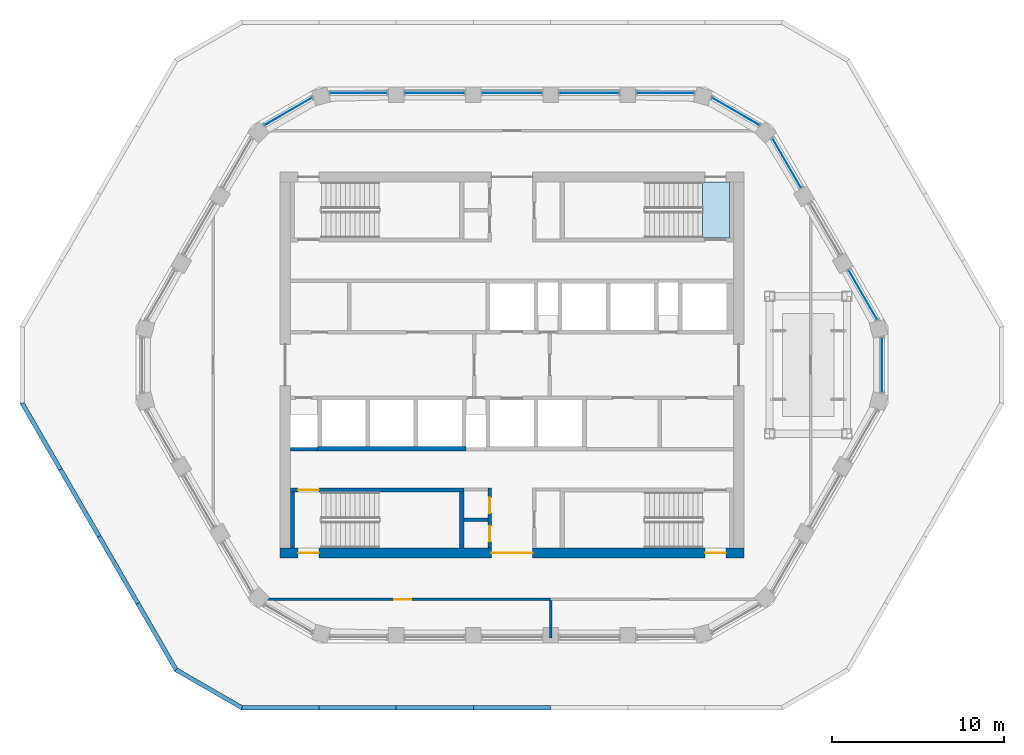
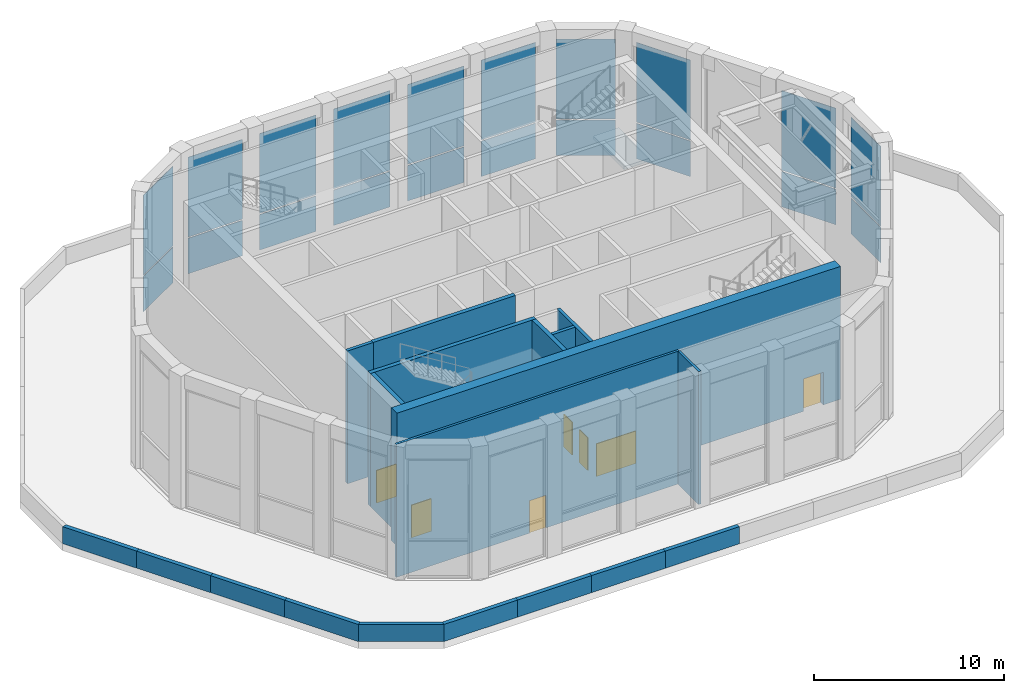
# One storey, part 5 of 11: 20 plates, 19 walls, 7 doors, 1 slab, 7 openings, 11 elements without a shape of their own.
"""IFC4 building model written with IfcOpenShell, lengths in metres."""

from ifc_helpers import new_model, si_unit, direction, frame, frame_2d, origin, origin_2d, place, context, subcontext, project, spatial, polyline, rectangle, outline, extrude, material, layer, layer_set, type_object, element, fill, aggregate, save


model = new_model("IFC4")

# Units and contexts
model_context = context("Model", 3, precision=1e-05, world=origin(), true_north=direction((0.0, 1.0)))
body_context = subcontext(model_context, "Body", "Model", "MODEL_VIEW")
ifc_project = project(units=[si_unit("LENGTHUNIT", "METRE"), si_unit("AREAUNIT", "SQUARE_METRE"), si_unit("VOLUMEUNIT", "CUBIC_METRE"), si_unit("PLANEANGLEUNIT", "RADIAN"), si_unit("MASSUNIT", "GRAM", prefix="KILO")], contexts=[model_context])

# Site, building, storey
site_placement = place(None, origin())
site = spatial("IfcSite", under=ifc_project, at=site_placement, CompositionType="ELEMENT")
building_placement = place(site_placement, origin())
building = spatial("IfcBuilding", under=site, at=building_placement, Name="Dhurran Vertical Campus", CompositionType="ELEMENT")
storey_placement = place(building_placement, frame((0.0, 0.0, 309.89990234375)))
storey = spatial("IfcBuildingStorey", under=building, at=storey_placement, Name="L77 Damper Plant", CompositionType="ELEMENT", Elevation=309.89990234375)

# Curtain wall, plates
ifc_material_1 = material(Name="Aluminium frame with solar-control glass", Category="aluminium")
ifc_layer_1 = layer(ifc_material_1, 0.300048828125)
ifc_layer_set_1 = layer_set([ifc_layer_1], Name="Aluminium frame with solar-control glass")
curtain_wall_type = type_object("IfcCurtainWallType", Name="Damper floor glazing system", PredefinedType="NOTDEFINED", material=ifc_layer_set_1)
curtain_wall_1_placement = place(storey_placement, origin())
curtain_wall_1 = element("IfcCurtainWall", 1, at=curtain_wall_1_placement, inside=storey, type_object=curtain_wall_type, Name="CW4 L77.09", PredefinedType="NOTDEFINED")
ifc_material_2 = material(Name="Clear solar-control glass", Category="glass")
ifc_layer_2 = layer(ifc_material_2, 0.028076171875)
ifc_layer_set_2 = layer_set([ifc_layer_2], Name="Clear solar-control glass")
plate_type = type_object("IfcPlateType", Name="Damper floor glazing system panel", PredefinedType="CURTAIN_PANEL", material=ifc_layer_set_2)
plate_1_placement = place(storey_placement, frame((21.547119140625, 0.0, 0.080078125), z_axis=(0.0, 0.0, 1.0), x_axis=(0.0, 1.0, 0.0)))
plate_1 = element("IfcPlate", 2, at=plate_1_placement, type_object=plate_type, Name="CW4 panel 1.1", PredefinedType="CURTAIN_PANEL", context=body_context, shape_type="SweptSolid", body=[
    extrude(rectangle(XDim=3.139892578125, YDim=0.028076171875, at=origin_2d()), origin(), (0.0, 0.0, 1.0), 2.280029296875),
])
plate_2_placement = place(storey_placement, frame((21.547119140625, 0.0, 2.440185546875), z_axis=(0.0, 0.0, 1.0), x_axis=(0.0, 1.0, 0.0)))
plate_2 = element("IfcPlate", 3, at=plate_2_placement, type_object=plate_type, Name="CW4 panel 1.2", PredefinedType="CURTAIN_PANEL", context=body_context, shape_type="SweptSolid", body=[
    extrude(rectangle(XDim=3.139892578125, YDim=0.028076171875, at=origin_2d()), origin(), (0.0, 0.0, 1.0), 5.1298828125),
])
aggregate(curtain_wall_1, [plate_1, plate_2])

curtain_wall_2_placement = place(storey_placement, origin())
curtain_wall_2 = element("IfcCurtainWall", 4, at=curtain_wall_2_placement, inside=storey, type_object=curtain_wall_type, Name="CW4 L77.10", PredefinedType="NOTDEFINED")
plate_3_placement = place(storey_placement, frame((20.431640625, 4.08837890625, 0.080078125), z_axis=(0.0, 0.0, 1.0), x_axis=(-0.499995986465, 0.866027720988, 0.0)))
plate_3 = element("IfcPlate", 5, at=plate_3_placement, type_object=plate_type, Name="CW4 panel 1.1", PredefinedType="CURTAIN_PANEL", context=body_context, shape_type="SweptSolid", body=[
    extrude(rectangle(XDim=3.289306640625, YDim=0.028076171875, at=origin_2d()), origin(), (0.0, 0.0, 1.0), 2.280029296875),
])
plate_4_placement = place(storey_placement, frame((20.431640625, 4.08837890625, 2.440185546875), z_axis=(0.0, 0.0, 1.0), x_axis=(-0.499995986465, 0.866027720988, 0.0)))
plate_4 = element("IfcPlate", 6, at=plate_4_placement, type_object=plate_type, Name="CW4 panel 1.2", PredefinedType="CURTAIN_PANEL", context=body_context, shape_type="SweptSolid", body=[
    extrude(rectangle(XDim=3.289306640625, YDim=0.028076171875, at=origin_2d()), origin(), (0.0, 0.0, 1.0), 5.1298828125),
])
aggregate(curtain_wall_2, [plate_3, plate_4])

curtain_wall_3_placement = place(storey_placement, origin())
curtain_wall_3 = element("IfcCurtainWall", 7, at=curtain_wall_3_placement, inside=storey, type_object=curtain_wall_type, Name="CW4 L77.12", PredefinedType="NOTDEFINED")
plate_5_placement = place(storey_placement, frame((16.00634765625, 11.7529296875, 0.080078125), z_axis=(0.0, 0.0, 1.0), x_axis=(-0.500008539842, 0.866020473248, 0.0)))
plate_5 = element("IfcPlate", 8, at=plate_5_placement, type_object=plate_type, Name="CW4 panel 1.1", PredefinedType="CURTAIN_PANEL", context=body_context, shape_type="SweptSolid", body=[
    extrude(rectangle(XDim=3.289306640625, YDim=0.028076171875, at=origin_2d()), origin(), (0.0, 0.0, 1.0), 2.280029296875),
])
plate_6_placement = place(storey_placement, frame((16.00634765625, 11.7529296875, 2.440185546875), z_axis=(0.0, 0.0, 1.0), x_axis=(-0.500008539842, 0.866020473248, 0.0)))
plate_6 = element("IfcPlate", 9, at=plate_6_placement, type_object=plate_type, Name="CW4 panel 1.2", PredefinedType="CURTAIN_PANEL", context=body_context, shape_type="SweptSolid", body=[
    extrude(rectangle(XDim=3.289306640625, YDim=0.028076171875, at=origin_2d()), origin(), (0.0, 0.0, 1.0), 5.1298828125),
])
aggregate(curtain_wall_3, [plate_5, plate_6])

curtain_wall_4_placement = place(storey_placement, origin())
curtain_wall_4 = element("IfcCurtainWall", 10, at=curtain_wall_4_placement, inside=storey, type_object=curtain_wall_type, Name="CW4 L77.13", PredefinedType="NOTDEFINED")
plate_7_placement = place(storey_placement, frame((13.0234375, 14.76318359375, 0.080078125), z_axis=(0.0, 0.0, 1.0), x_axis=(-0.866024598628, 0.500001394569, 0.0)))
plate_7 = element("IfcPlate", 11, at=plate_7_placement, type_object=plate_type, Name="CW4 panel 1.1", PredefinedType="CURTAIN_PANEL", context=body_context, shape_type="SweptSolid", body=[
    extrude(rectangle(XDim=3.139892578125, YDim=0.028076171875, at=origin_2d()), origin(), (0.0, 0.0, 1.0), 2.280029296875),
])
plate_8_placement = place(storey_placement, frame((13.0234375, 14.76318359375, 2.440185546875), z_axis=(0.0, 0.0, 1.0), x_axis=(-0.866024598628, 0.500001394569, 0.0)))
plate_8 = element("IfcPlate", 12, at=plate_8_placement, type_object=plate_type, Name="CW4 panel 1.2", PredefinedType="CURTAIN_PANEL", context=body_context, shape_type="SweptSolid", body=[
    extrude(rectangle(XDim=3.139892578125, YDim=0.028076171875, at=origin_2d()), origin(), (0.0, 0.0, 1.0), 5.1298828125),
])
aggregate(curtain_wall_4, [plate_7, plate_8])

curtain_wall_5_placement = place(storey_placement, origin())
curtain_wall_5 = element("IfcCurtainWall", 13, at=curtain_wall_5_placement, inside=storey, type_object=curtain_wall_type, Name="CW4 L77.14", PredefinedType="NOTDEFINED")
plate_9_placement = place(storey_placement, frame((8.92529296875, 15.84130859375, 0.080078125), z_axis=(0.0, 0.0, 1.0), x_axis=(-1.0, 0.0, 0.0)))
plate_9 = element("IfcPlate", 14, at=plate_9_placement, type_object=plate_type, Name="CW4 panel 1.1", PredefinedType="CURTAIN_PANEL", context=body_context, shape_type="SweptSolid", body=[
    extrude(rectangle(XDim=3.289306640625, YDim=0.028076171875, at=origin_2d()), origin(), (0.0, 0.0, 1.0), 2.280029296875),
])
plate_10_placement = place(storey_placement, frame((8.92529296875, 15.84130859375, 2.440185546875), z_axis=(0.0, 0.0, 1.0), x_axis=(-1.0, 0.0, 0.0)))
plate_10 = element("IfcPlate", 15, at=plate_10_placement, type_object=plate_type, Name="CW4 panel 1.2", PredefinedType="CURTAIN_PANEL", context=body_context, shape_type="SweptSolid", body=[
    extrude(rectangle(XDim=3.289306640625, YDim=0.028076171875, at=origin_2d()), origin(), (0.0, 0.0, 1.0), 5.1298828125),
])
aggregate(curtain_wall_5, [plate_9, plate_10])

curtain_wall_6_placement = place(storey_placement, origin())
curtain_wall_6 = element("IfcCurtainWall", 16, at=curtain_wall_6_placement, inside=storey, type_object=curtain_wall_type, Name="CW4 L77.15", PredefinedType="NOTDEFINED")
plate_11_placement = place(storey_placement, frame((4.5, 15.84130859375, 0.080078125), z_axis=(0.0, 0.0, 1.0), x_axis=(-1.0, 0.0, 0.0)))
plate_11 = element("IfcPlate", 17, at=plate_11_placement, type_object=plate_type, Name="CW4 panel 1.1", PredefinedType="CURTAIN_PANEL", context=body_context, shape_type="SweptSolid", body=[
    extrude(rectangle(XDim=3.43896484375, YDim=0.028076171875, at=origin_2d()), origin(), (0.0, 0.0, 1.0), 2.280029296875),
])
plate_12_placement = place(storey_placement, frame((4.5, 15.84130859375, 2.440185546875), z_axis=(0.0, 0.0, 1.0), x_axis=(-1.0, 0.0, 0.0)))
plate_12 = element("IfcPlate", 18, at=plate_12_placement, type_object=plate_type, Name="CW4 panel 1.2", PredefinedType="CURTAIN_PANEL", context=body_context, shape_type="SweptSolid", body=[
    extrude(rectangle(XDim=3.43896484375, YDim=0.028076171875, at=origin_2d()), origin(), (0.0, 0.0, 1.0), 5.1298828125),
])
aggregate(curtain_wall_6, [plate_11, plate_12])

curtain_wall_7_placement = place(storey_placement, origin())
curtain_wall_7 = element("IfcCurtainWall", 19, at=curtain_wall_7_placement, inside=storey, type_object=curtain_wall_type, Name="CW4 L77.16", PredefinedType="NOTDEFINED")
plate_13_placement = place(storey_placement, frame((0.0, 15.84130859375, 0.080078125), z_axis=(0.0, 0.0, 1.0), x_axis=(-1.0, 0.0, 0.0)))
plate_13 = element("IfcPlate", 20, at=plate_13_placement, type_object=plate_type, Name="CW4 panel 1.1", PredefinedType="CURTAIN_PANEL", context=body_context, shape_type="SweptSolid", body=[
    extrude(rectangle(XDim=3.43896484375, YDim=0.028076171875, at=origin_2d()), origin(), (0.0, 0.0, 1.0), 2.280029296875),
])
plate_14_placement = place(storey_placement, frame((0.0, 15.84130859375, 2.440185546875), z_axis=(0.0, 0.0, 1.0), x_axis=(-1.0, 0.0, 0.0)))
plate_14 = element("IfcPlate", 21, at=plate_14_placement, type_object=plate_type, Name="CW4 panel 1.2", PredefinedType="CURTAIN_PANEL", context=body_context, shape_type="SweptSolid", body=[
    extrude(rectangle(XDim=3.43896484375, YDim=0.028076171875, at=origin_2d()), origin(), (0.0, 0.0, 1.0), 5.1298828125),
])
aggregate(curtain_wall_7, [plate_13, plate_14])

curtain_wall_8_placement = place(storey_placement, origin())
curtain_wall_8 = element("IfcCurtainWall", 22, at=curtain_wall_8_placement, inside=storey, type_object=curtain_wall_type, Name="CW4 L77.17", PredefinedType="NOTDEFINED")
plate_15_placement = place(storey_placement, frame((-4.5, 15.84130859375, 0.080078125), z_axis=(0.0, 0.0, 1.0), x_axis=(-1.0, 0.0, 0.0)))
plate_15 = element("IfcPlate", 23, at=plate_15_placement, type_object=plate_type, Name="CW4 panel 1.1", PredefinedType="CURTAIN_PANEL", context=body_context, shape_type="SweptSolid", body=[
    extrude(rectangle(XDim=3.43896484375, YDim=0.028076171875, at=origin_2d()), origin(), (0.0, 0.0, 1.0), 2.280029296875),
])
plate_16_placement = place(storey_placement, frame((-4.5, 15.84130859375, 2.440185546875), z_axis=(0.0, 0.0, 1.0), x_axis=(-1.0, 0.0, 0.0)))
plate_16 = element("IfcPlate", 24, at=plate_16_placement, type_object=plate_type, Name="CW4 panel 1.2", PredefinedType="CURTAIN_PANEL", context=body_context, shape_type="SweptSolid", body=[
    extrude(rectangle(XDim=3.43896484375, YDim=0.028076171875, at=origin_2d()), origin(), (0.0, 0.0, 1.0), 5.1298828125),
])
aggregate(curtain_wall_8, [plate_15, plate_16])

curtain_wall_9_placement = place(storey_placement, origin())
curtain_wall_9 = element("IfcCurtainWall", 25, at=curtain_wall_9_placement, inside=storey, type_object=curtain_wall_type, Name="CW4 L77.18", PredefinedType="NOTDEFINED")
plate_17_placement = place(storey_placement, frame((-8.92529296875, 15.84130859375, 0.080078125), z_axis=(0.0, 0.0, 1.0), x_axis=(-1.0, 0.0, 0.0)))
plate_17 = element("IfcPlate", 26, at=plate_17_placement, type_object=plate_type, Name="CW4 panel 1.1", PredefinedType="CURTAIN_PANEL", context=body_context, shape_type="SweptSolid", body=[
    extrude(rectangle(XDim=3.289306640625, YDim=0.028076171875, at=origin_2d()), origin(), (0.0, 0.0, 1.0), 2.280029296875),
])
plate_18_placement = place(storey_placement, frame((-8.92529296875, 15.84130859375, 2.440185546875), z_axis=(0.0, 0.0, 1.0), x_axis=(-1.0, 0.0, 0.0)))
plate_18 = element("IfcPlate", 27, at=plate_18_placement, type_object=plate_type, Name="CW4 panel 1.2", PredefinedType="CURTAIN_PANEL", context=body_context, shape_type="SweptSolid", body=[
    extrude(rectangle(XDim=3.289306640625, YDim=0.028076171875, at=origin_2d()), origin(), (0.0, 0.0, 1.0), 5.1298828125),
])
aggregate(curtain_wall_9, [plate_17, plate_18])

curtain_wall_10_placement = place(storey_placement, origin())
curtain_wall_10 = element("IfcCurtainWall", 28, at=curtain_wall_10_placement, inside=storey, type_object=curtain_wall_type, Name="CW4 L77.19", PredefinedType="NOTDEFINED")
plate_19_placement = place(storey_placement, frame((-13.0234375, 14.76318359375, 0.080078125), z_axis=(0.0, 0.0, 1.0), x_axis=(-0.866024598628, -0.500001394569, 0.0)))
plate_19 = element("IfcPlate", 29, at=plate_19_placement, type_object=plate_type, Name="CW4 panel 1.1", PredefinedType="CURTAIN_PANEL", context=body_context, shape_type="SweptSolid", body=[
    extrude(rectangle(XDim=3.139892578125, YDim=0.028076171875, at=origin_2d()), origin(), (0.0, 0.0, 1.0), 2.280029296875),
])
plate_20_placement = place(storey_placement, frame((-13.0234375, 14.76318359375, 2.440185546875), z_axis=(0.0, 0.0, 1.0), x_axis=(-0.866024598628, -0.500001394569, 0.0)))
plate_20 = element("IfcPlate", 30, at=plate_20_placement, type_object=plate_type, Name="CW4 panel 1.2", PredefinedType="CURTAIN_PANEL", context=body_context, shape_type="SweptSolid", body=[
    extrude(rectangle(XDim=3.139892578125, YDim=0.028076171875, at=origin_2d()), origin(), (0.0, 0.0, 1.0), 5.1298828125),
])
aggregate(curtain_wall_10, [plate_19, plate_20])

# Stair, slab
ifc_material_3 = material(Name="Concrete C40/50", Category="concrete")
stair_type = type_object("IfcStairType", Name="co-ST-CORE", PredefinedType="HALF_TURN_STAIR", material=ifc_material_3)
stair_placement = place(storey_placement, origin())
stair = element("IfcStair", 31, at=stair_placement, inside=storey, type_object=stair_type, Name="L77 Damper Plant Protected exit stair ST2", PredefinedType="HALF_TURN_STAIR")
ifc_material_4 = material(Name="Concrete C40/50", Category="concrete")
ifc_layer_3 = layer(ifc_material_4, 0.199951171875)
ifc_layer_set_3 = layer_set([ifc_layer_3], Name="Concrete C40/50")
slab_type = type_object("IfcSlabType", Name="co-SL-LANDING", PredefinedType="LANDING", material=ifc_layer_set_3)
slab_placement = place(storey_placement, frame((0.0, 0.0, 4.300048828125)))
slab = element("IfcSlab", 32, at=slab_placement, type_object=slab_type, Name="ST2 landing 2", PredefinedType="LANDING", context=body_context, shape_type="SweptSolid", body=[
    extrude(outline(polyline([(12.64990234375, 10.64990234375), (11.10009765625, 10.64990234375), (11.10009765625, 7.39990234375), (12.64990234375, 7.39990234375), (12.64990234375, 10.64990234375)])), origin(), (0.0, 0.0, 1.0), 0.199951171875),
])
aggregate(stair, [slab])

# Walls
ifc_material_5 = material(Name="Precast concrete C50/60", Category="concrete")
ifc_layer_4 = layer(ifc_material_5, 0.25)
ifc_layer_set_4 = layer_set([ifc_layer_4], Name="Precast concrete C50/60")
wall_type_1 = type_object("IfcWallType", Name="Precast parapet 250", PredefinedType="PARAPET", material=ifc_layer_set_4)
wall_1_placement = place(storey_placement, origin())
element("IfcWall", 33, at=wall_1_placement, inside=storey, type_object=wall_type_1, Name="PW1 L77.00", PredefinedType="PARAPET", context=body_context, shape_type="SweptSolid", body=[
    extrude(outline(polyline([(-15.75, -20.08837890625), (-11.25, -20.08837890625), (-11.25, -19.83837890625), (-15.68310546875, -19.83837890625), (-15.75, -20.08837890625)])), origin(), (0.0, 0.0, 1.0), 1.10009765625),
])
wall_2_placement = place(storey_placement, origin())
element("IfcWall", 34, at=wall_2_placement, inside=storey, type_object=wall_type_1, Name="PW1 L77.01", PredefinedType="PARAPET", context=body_context, shape_type="SweptSolid", body=[
    extrude(outline(polyline([(-11.25, -20.08837890625), (-6.75, -20.08837890625), (-6.75, -19.83837890625), (-11.25, -19.83837890625), (-11.25, -20.08837890625)])), origin(), (0.0, 0.0, 1.0), 1.10009765625),
])
wall_3_placement = place(storey_placement, origin())
element("IfcWall", 35, at=wall_3_placement, inside=storey, type_object=wall_type_1, Name="PW1 L77.02", PredefinedType="PARAPET", context=body_context, shape_type="SweptSolid", body=[
    extrude(outline(polyline([(-6.75, -20.08837890625), (-2.25, -20.08837890625), (-2.25, -19.83837890625), (-6.75, -19.83837890625), (-6.75, -20.08837890625)])), origin(), (0.0, 0.0, 1.0), 1.10009765625),
])
wall_4_placement = place(storey_placement, origin())
element("IfcWall", 36, at=wall_4_placement, inside=storey, type_object=wall_type_1, Name="PW1 L77.03", PredefinedType="PARAPET", context=body_context, shape_type="SweptSolid", body=[
    extrude(outline(polyline([(-2.25, -20.08837890625), (2.25, -20.08837890625), (2.25, -19.83837890625), (-2.25, -19.83837890625), (-2.25, -20.08837890625)])), origin(), (0.0, 0.0, 1.0), 1.10009765625),
])
wall_5_placement = place(storey_placement, origin())
element("IfcWall", 37, at=wall_5_placement, inside=storey, type_object=wall_type_1, Name="PW1 L77.31", PredefinedType="PARAPET", context=body_context, shape_type="SweptSolid", body=[
    extrude(outline(polyline([(-28.647216796875, -2.25), (-26.397216796875, -6.147216796875), (-26.1806640625, -6.022216796875), (-28.397216796875, -2.18310546875), (-28.647216796875, -2.25)])), origin(), (0.0, 0.0, 1.0), 1.10009765625),
])
wall_6_placement = place(storey_placement, origin())
element("IfcWall", 38, at=wall_6_placement, inside=storey, type_object=wall_type_1, Name="PW1 L77.32", PredefinedType="PARAPET", context=body_context, shape_type="SweptSolid", body=[
    extrude(outline(polyline([(-26.397216796875, -6.147216796875), (-24.147216796875, -10.044189453125), (-23.9306640625, -9.919189453125), (-26.1806640625, -6.022216796875), (-26.397216796875, -6.147216796875)])), origin(), (0.0, 0.0, 1.0), 1.10009765625),
])
wall_7_placement = place(storey_placement, origin())
element("IfcWall", 39, at=wall_7_placement, inside=storey, type_object=wall_type_1, Name="PW1 L77.33", PredefinedType="PARAPET", context=body_context, shape_type="SweptSolid", body=[
    extrude(outline(polyline([(-24.147216796875, -10.044189453125), (-21.897216796875, -13.94140625), (-21.6806640625, -13.81640625), (-23.9306640625, -9.919189453125), (-24.147216796875, -10.044189453125)])), origin(), (0.0, 0.0, 1.0), 1.10009765625),
])
wall_8_placement = place(storey_placement, origin())
element("IfcWall", 40, at=wall_8_placement, inside=storey, type_object=wall_type_1, Name="PW1 L77.34", PredefinedType="PARAPET", context=body_context, shape_type="SweptSolid", body=[
    extrude(outline(polyline([(-21.897216796875, -13.94140625), (-19.647216796875, -17.83837890625), (-19.464111328125, -17.655517578125), (-21.6806640625, -13.81640625), (-21.897216796875, -13.94140625)])), origin(), (0.0, 0.0, 1.0), 1.10009765625),
])
wall_9_placement = place(storey_placement, origin())
element("IfcWall", 41, at=wall_9_placement, inside=storey, type_object=wall_type_1, Name="PW1 L77.35", PredefinedType="PARAPET", context=body_context, shape_type="SweptSolid", body=[
    extrude(outline(polyline([(-19.647216796875, -17.83837890625), (-15.75, -20.08837890625), (-15.68310546875, -19.83837890625), (-19.464111328125, -17.655517578125), (-19.647216796875, -17.83837890625)])), origin(), (0.0, 0.0, 1.0), 1.10009765625),
])

# Wall, openings, doors
ifc_material_6 = material(Name="Concrete C50/60", Category="concrete")
ifc_layer_5 = layer(ifc_material_6, 0.60009765625)
ifc_layer_set_5 = layer_set([ifc_layer_5], Name="Concrete C50/60")
wall_type_2 = type_object("IfcWallType", Name="co-CORE-WALL-C2-600", PredefinedType="SHEAR", material=ifc_layer_set_5)
wall_10_placement = place(storey_placement, frame((-13.5, -10.949951171875, 0.0), z_axis=(0.0, 0.0, 1.0), x_axis=(1.0, 0.0, 0.0)))
wall_10 = element("IfcWall", 42, at=wall_10_placement, inside=storey, type_object=wall_type_2, Name="Core wall S L77", PredefinedType="SHEAR", context=body_context, shape_type="SweptSolid", body=[
    extrude(rectangle(XDim=27.0, YDim=0.60009765625, at=frame_2d((13.5, 0.0))), origin(), (0.0, 0.0, 1.0), 8.550048828125),
])
opening_1_placement = place(wall_10_placement, frame((12.300048828125, 0.0, 0.0)))
opening_1 = element("IfcOpeningElement", 43, at=opening_1_placement, cuts=wall_10, Name="Opening CV2", PredefinedType="OPENING", context=body_context, shape_type="SweptSolid", body=[
    extrude(rectangle(XDim=2.39990234375, YDim=2.10009765625, at=frame_2d((1.199951171875, 1.050048828125))), frame((0.0, 0.31005859375, 0.0), z_axis=(0.0, -1.0, 0.0), x_axis=(1.0, 0.0, 0.0)), (0.0, 0.0, 1.0), 0.6201171875),
])
opening_2_placement = place(wall_10_placement, frame((1.050048828125, 0.0, 0.0)))
opening_2 = element("IfcOpeningElement", 44, at=opening_2_placement, cuts=wall_10, Name="Opening XD3", PredefinedType="OPENING", context=body_context, shape_type="SweptSolid", body=[
    extrude(rectangle(XDim=1.199951171875, YDim=2.10009765625, at=frame_2d((0.60009765625, 1.050048828125))), frame((0.0, 0.31005859375, 0.0), z_axis=(0.0, -1.0, 0.0), x_axis=(1.0, 0.0, 0.0)), (0.0, 0.0, 1.0), 0.6201171875),
])
opening_3_placement = place(wall_10_placement, frame((24.75, 0.0, 0.0)))
opening_3 = element("IfcOpeningElement", 45, at=opening_3_placement, cuts=wall_10, Name="Opening XD4", PredefinedType="OPENING", context=body_context, shape_type="SweptSolid", body=[
    extrude(rectangle(XDim=1.199951171875, YDim=2.10009765625, at=frame_2d((0.60009765625, 1.050048828125))), frame((0.0, 0.31005859375, 0.0), z_axis=(0.0, -1.0, 0.0), x_axis=(1.0, 0.0, 0.0)), (0.0, 0.0, 1.0), 0.6201171875),
])
ifc_material_7 = material(Name="Fire-rated glazed door set")
door_type_1 = type_object("IfcDoorType", Name="co-D-LOBBY 2400x2100", OperationType="DOUBLE_DOOR_DOUBLE_SWING", PredefinedType="DOOR", material=ifc_material_7)
door_1_placement = place(opening_1_placement, origin())
door_1 = element("IfcDoor", 46, at=door_1_placement, inside=storey, type_object=door_type_1, Name="Core vestibule door S L77", OperationType="DOUBLE_DOOR_DOUBLE_SWING", OverallHeight=2.10009765625, OverallWidth=2.39990234375, PredefinedType="DOOR", context=body_context, shape_type="SweptSolid", body=[
    extrude(rectangle(XDim=2.39990234375, YDim=2.10009765625, at=frame_2d((1.199951171875, 1.050048828125))), frame((0.0, 0.02490234375, 0.0), z_axis=(0.0, -1.0, 0.0), x_axis=(1.0, 0.0, 0.0)), (0.0, 0.0, 1.0), 0.050048828125),
])
fill(opening_1, door_1)
ifc_material_8 = material(Name="Fire-rated steel door set", Category="steel")
door_type_2 = type_object("IfcDoorType", Name="co-D-STAIR-EXIT 1200x2100", OperationType="SINGLE_SWING_RIGHT", PredefinedType="DOOR", material=ifc_material_8)
door_2_placement = place(opening_2_placement, origin())
door_2 = element("IfcDoor", 47, at=door_2_placement, inside=storey, type_object=door_type_2, Name="Stair ST3 exit door L77", OperationType="SINGLE_SWING_RIGHT", OverallHeight=2.10009765625, OverallWidth=1.199951171875, PredefinedType="DOOR", context=body_context, shape_type="SweptSolid", body=[
    extrude(rectangle(XDim=1.199951171875, YDim=2.10009765625, at=frame_2d((0.60009765625, 1.050048828125))), frame((0.0, 0.02490234375, 0.0), z_axis=(0.0, -1.0, 0.0), x_axis=(1.0, 0.0, 0.0)), (0.0, 0.0, 1.0), 0.050048828125),
])
fill(opening_2, door_2)
door_3_placement = place(opening_3_placement, origin())
door_3 = element("IfcDoor", 48, at=door_3_placement, inside=storey, type_object=door_type_2, Name="Stair ST4 exit door L77", OperationType="SINGLE_SWING_RIGHT", OverallHeight=2.10009765625, OverallWidth=1.199951171875, PredefinedType="DOOR", context=body_context, shape_type="SweptSolid", body=[
    extrude(rectangle(XDim=1.199951171875, YDim=2.10009765625, at=frame_2d((0.60009765625, 1.050048828125))), frame((0.0, 0.02490234375, 0.0), z_axis=(0.0, -1.0, 0.0), x_axis=(1.0, 0.0, 0.0)), (0.0, 0.0, 1.0), 0.050048828125),
])
fill(opening_3, door_3)

# Wall
ifc_material_9 = material(Name="Fire-rated masonry blockwork", Category="masonry")
ifc_layer_6 = layer(ifc_material_9, 0.199951171875)
ifc_layer_set_6 = layer_set([ifc_layer_6], Name="Fire-rated masonry blockwork")
wall_type_3 = type_object("IfcWallType", Name="co-FIRE-PARTITION-200", PredefinedType="PARTITIONING", material=ifc_layer_set_6)
wall_11_placement = place(storey_placement, frame((-2.800048828125, -9.0, 0.0), z_axis=(0.0, 0.0, 1.0), x_axis=(1.0, 0.0, 0.0)))
element("IfcWall", 49, at=wall_11_placement, inside=storey, type_object=wall_type_3, Name="Core partition sl-SW-cut0 L77", PredefinedType="PARTITIONING", context=body_context, shape_type="SweptSolid", body=[
    extrude(rectangle(XDim=1.400146484375, YDim=0.199951171875, at=frame_2d((0.7001953125, 0.0))), origin(), (0.0, 0.0, 1.0), 8.550048828125),
])

# Wall, openings, doors
wall_12_placement = place(storey_placement, frame((-1.300048828125, -10.64990234375, 0.0), z_axis=(0.0, 0.0, 1.0), x_axis=(0.0, 1.0, 0.0)))
wall_12 = element("IfcWall", 50, at=wall_12_placement, inside=storey, type_object=wall_type_3, Name="Core partition vest-SW L77", PredefinedType="PARTITIONING", context=body_context, shape_type="SweptSolid", body=[
    extrude(rectangle(XDim=3.5, YDim=0.199951171875, at=frame_2d((1.75, 0.0))), origin(), (0.0, 0.0, 1.0), 8.550048828125),
])
opening_4_placement = place(wall_12_placement, frame((0.375, 0.0, 0.0)))
opening_4 = element("IfcOpeningElement", 51, at=opening_4_placement, cuts=wall_12, Name="Opening CR77-C1", PredefinedType="OPENING", context=body_context, shape_type="SweptSolid", body=[
    extrude(rectangle(XDim=0.89990234375, YDim=2.10009765625, at=frame_2d((0.449951171875, 1.050048828125))), frame((0.0, 0.10986328125, 0.0), z_axis=(0.0, -1.0, 0.0), x_axis=(1.0, 0.0, 0.0)), (0.0, 0.0, 1.0), 0.219970703125),
])
opening_5_placement = place(wall_12_placement, frame((2.02490234375, 0.0, 0.0)))
opening_5 = element("IfcOpeningElement", 52, at=opening_5_placement, cuts=wall_12, Name="Opening CR77-C2", PredefinedType="OPENING", context=body_context, shape_type="SweptSolid", body=[
    extrude(rectangle(XDim=0.89990234375, YDim=2.10009765625, at=frame_2d((0.449951171875, 1.050048828125))), frame((0.0, 0.10986328125, 0.0), z_axis=(0.0, -1.0, 0.0), x_axis=(1.0, 0.0, 0.0)), (0.0, 0.0, 1.0), 0.219970703125),
])
ifc_material_10 = material(Name="Fire-rated timber door set", Category="wood")
door_type_3 = type_object("IfcDoorType", Name="co-D-ROOM 900x2100", OperationType="SINGLE_SWING_LEFT", PredefinedType="DOOR", material=ifc_material_10)
door_4_placement = place(opening_4_placement, origin())
door_4 = element("IfcDoor", 53, at=door_4_placement, inside=storey, type_object=door_type_3, Name="Plant room door L77", OperationType="SINGLE_SWING_LEFT", OverallHeight=2.10009765625, OverallWidth=0.89990234375, PredefinedType="DOOR", context=body_context, shape_type="SweptSolid", body=[
    extrude(rectangle(XDim=0.89990234375, YDim=2.10009765625, at=frame_2d((0.449951171875, 1.050048828125))), frame((0.0, 0.02490234375, 0.0), z_axis=(0.0, -1.0, 0.0), x_axis=(1.0, 0.0, 0.0)), (0.0, 0.0, 1.0), 0.050048828125),
])
fill(opening_4, door_4)
door_5_placement = place(opening_5_placement, origin())
door_5 = element("IfcDoor", 54, at=door_5_placement, inside=storey, type_object=door_type_3, Name="Pantry door L77", OperationType="SINGLE_SWING_LEFT", OverallHeight=2.10009765625, OverallWidth=0.89990234375, PredefinedType="DOOR", context=body_context, shape_type="SweptSolid", body=[
    extrude(rectangle(XDim=0.89990234375, YDim=2.10009765625, at=frame_2d((0.449951171875, 1.050048828125))), frame((0.0, 0.02490234375, 0.0), z_axis=(0.0, -1.0, 0.0), x_axis=(1.0, 0.0, 0.0)), (0.0, 0.0, 1.0), 0.050048828125),
])
fill(opening_5, door_5)

# Walls
wall_13_placement = place(storey_placement, frame((-12.89990234375, -4.89990234375, 0.0), z_axis=(0.0, 0.0, 1.0), x_axis=(1.0, 0.0, 0.0)))
element("IfcWall", 55, at=wall_13_placement, inside=storey, type_object=wall_type_3, Name="Core partition fr-S0-b L77", PredefinedType="PARTITIONING", context=body_context, shape_type="SweptSolid", body=[
    extrude(rectangle(XDim=1.574951171875, YDim=0.199951171875, at=frame_2d((0.78759765625, 0.0))), origin(), (0.0, 0.0, 1.0), 8.550048828125),
])
ifc_material_11 = material(Name="Concrete C50/60", Category="concrete")
ifc_layer_7 = layer(ifc_material_11, 0.25)
ifc_layer_set_7 = layer_set([ifc_layer_7], Name="Concrete C50/60")
wall_type_4 = type_object("IfcWallType", Name="co-SHAFT-MASS-250", PredefinedType="SHEAR", material=ifc_layer_set_7)
wall_14_placement = place(storey_placement, origin())
element("IfcWall", 56, at=wall_14_placement, inside=storey, type_object=wall_type_4, Name="Lift shaft wall S L77 1", PredefinedType="SHEAR", context=body_context, shape_type="SweptSolid", body=[
    extrude(outline(polyline([(-11.324951171875, -5.0), (-2.675048828125, -5.0), (-2.675048828125, -4.75), (-11.324951171875, -4.75), (-11.324951171875, -5.0)])), origin(), (0.0, 0.0, 1.0), 8.550048828125),
])

# Wall, opening, door
ifc_material_12 = material(Name="Concrete C40/50", Category="concrete")
ifc_layer_8 = layer(ifc_material_12, 0.25)
ifc_layer_set_8 = layer_set([ifc_layer_8], Name="Concrete C40/50")
wall_type_5 = type_object("IfcWallType", Name="co-STAIR-WALL-250", PredefinedType="SHEAR", material=ifc_layer_set_8)
wall_15_placement = place(storey_placement, frame((-12.89990234375, -7.27490234375, 0.0), z_axis=(0.0, 0.0, 1.0), x_axis=(1.0, 0.0, 0.0)))
wall_15 = element("IfcWall", 57, at=wall_15_placement, inside=storey, type_object=wall_type_5, Name="Stair ST3 enclosure wall L77", PredefinedType="SHEAR", context=body_context, shape_type="SweptSolid", body=[
    extrude(rectangle(XDim=10.099853515625, YDim=0.25, at=frame_2d((5.0498046875, 0.0))), origin(), (0.0, 0.0, 1.0), 8.550048828125),
])
opening_6_placement = place(wall_15_placement, frame((0.449951171875, 0.0, 0.0)))
opening_6 = element("IfcOpeningElement", 58, at=opening_6_placement, cuts=wall_15, Name="Opening SD3", PredefinedType="OPENING", context=body_context, shape_type="SweptSolid", body=[
    extrude(rectangle(XDim=1.199951171875, YDim=2.10009765625, at=frame_2d((0.60009765625, 1.050048828125))), frame((0.0, 0.135009765625, 0.0), z_axis=(0.0, -1.0, 0.0), x_axis=(1.0, 0.0, 0.0)), (0.0, 0.0, 1.0), 0.27001953125),
])
ifc_material_13 = material(Name="Fire-rated steel door set", Category="steel")
door_type_4 = type_object("IfcDoorType", Name="co-D-STAIR 1200x2100", OperationType="SINGLE_SWING_LEFT", PredefinedType="DOOR", material=ifc_material_13)
door_6_placement = place(opening_6_placement, origin())
door_6 = element("IfcDoor", 59, at=door_6_placement, inside=storey, type_object=door_type_4, Name="Stair ST3 door L77", OperationType="SINGLE_SWING_LEFT", OverallHeight=2.10009765625, OverallWidth=1.199951171875, PredefinedType="DOOR", context=body_context, shape_type="SweptSolid", body=[
    extrude(rectangle(XDim=1.199951171875, YDim=2.10009765625, at=frame_2d((0.60009765625, 1.050048828125))), frame((0.0, 0.02490234375, 0.0), z_axis=(0.0, -1.0, 0.0), x_axis=(1.0, 0.0, 0.0)), (0.0, 0.0, 1.0), 0.050048828125),
])
fill(opening_6, door_6)

# Walls
for number, where, z_axis, x_axis, name in (
    (60, (-12.77490234375, -10.64990234375, 0.0), (0.0, 0.0, 1.0), (0.0, 1.0, 0.0), "Stair ST3 enclosure wall L77"),
    (61, (-2.925048828125, -10.64990234375, 0.0), (0.0, 0.0, 1.0), (0.0, 1.0, 0.0), "Stair ST3 enclosure wall L77"),
):
    element("IfcWall", number, at=place(storey_placement, frame(where, z_axis=z_axis, x_axis=x_axis)), inside=storey, type_object=wall_type_5, Name=name, PredefinedType="SHEAR", context=body_context, shape_type="SweptSolid", body=[
        extrude(rectangle(XDim=3.25, YDim=0.25, at=frame_2d((1.625, 0.0))), origin(), (0.0, 0.0, 1.0), 8.550048828125),
    ])

# Wall, opening, door
ifc_material_14 = material(Name="Gypsum board corridor wall on steel studs", Category="steel")
ifc_layer_9 = layer(ifc_material_14, 0.14990234375)
ifc_layer_set_9 = layer_set([ifc_layer_9], Name="Gypsum board corridor wall on steel studs")
wall_type_6 = type_object("IfcWallType", Name="fl-CW-150 corridor wall", PredefinedType="PARTITIONING", material=ifc_layer_set_9)
wall_16_placement = place(storey_placement, frame((-14.968994140625, -13.64990234375, 0.0), z_axis=(0.0, 0.0, 1.0), x_axis=(1.0, 0.0, 0.0)))
wall_16 = element("IfcWall", 62, at=wall_16_placement, inside=storey, type_object=wall_type_6, Name="Partition 77-02", PredefinedType="PARTITIONING", context=body_context, shape_type="SweptSolid", body=[
    extrude(rectangle(XDim=17.218994140625, YDim=0.14990234375, at=frame_2d((8.609375, 0.0))), origin(), (0.0, 0.0, 1.0), 8.550048828125),
])
opening_7_placement = place(wall_16_placement, frame((8.109619140625, 0.0, 0.0)))
opening_7 = element("IfcOpeningElement", 63, at=opening_7_placement, cuts=wall_16, Name="Opening CR77.02", PredefinedType="OPENING", context=body_context, shape_type="SweptSolid", body=[
    extrude(rectangle(XDim=1.0, YDim=2.10009765625, at=frame_2d((0.5, 1.050048828125))), frame((0.0, 0.0849609375, 0.0), z_axis=(0.0, -1.0, 0.0), x_axis=(1.0, 0.0, 0.0)), (0.0, 0.0, 1.0), 0.169921875),
])
ifc_material_15 = material(Name="Solid-core timber door set, fire-rated", Category="wood")
door_type_5 = type_object("IfcDoorType", Name="fl-D-1000x2100", OperationType="SINGLE_SWING_LEFT", PredefinedType="DOOR", material=ifc_material_15)
door_7_placement = place(opening_7_placement, origin())
door_7 = element("IfcDoor", 64, at=door_7_placement, inside=storey, type_object=door_type_5, Name="Door 77.02", OperationType="SINGLE_SWING_RIGHT", OverallHeight=2.10009765625, OverallWidth=1.0, PredefinedType="DOOR", context=body_context, shape_type="SweptSolid", body=[
    extrude(rectangle(XDim=1.0, YDim=2.10009765625, at=frame_2d((0.5, 1.050048828125))), frame((0.0, 0.02490234375, 0.0), z_axis=(0.0, -1.0, 0.0), x_axis=(1.0, 0.0, 0.0)), (0.0, 0.0, 1.0), 0.050048828125),
])
fill(opening_7, door_7)

# Wall
ifc_material_16 = material(Name="Gypsum board partition on steel studs", Category="steel")
ifc_layer_10 = layer(ifc_material_16, 0.14990234375)
ifc_layer_set_10 = layer_set([ifc_layer_10], Name="Gypsum board partition on steel studs")
wall_type_7 = type_object("IfcWallType", Name="fl-PW-150 fixed partition", PredefinedType="PARTITIONING", material=ifc_layer_set_10)
wall_17_placement = place(storey_placement, frame((2.25, -13.72509765625, 0.0), z_axis=(0.0, 0.0, 1.0), x_axis=(0.0, -1.0, 0.0)))
element("IfcWall", 65, at=wall_17_placement, inside=storey, type_object=wall_type_7, Name="Partition 77-04", PredefinedType="PARTITIONING", context=body_context, shape_type="SweptSolid", body=[
    extrude(rectangle(XDim=2.166015625, YDim=0.14990234375, at=frame_2d((1.0830078125, 0.0))), origin(), (0.0, 0.0, 1.0), 8.550048828125),
])

save(model, "model.ifc")
